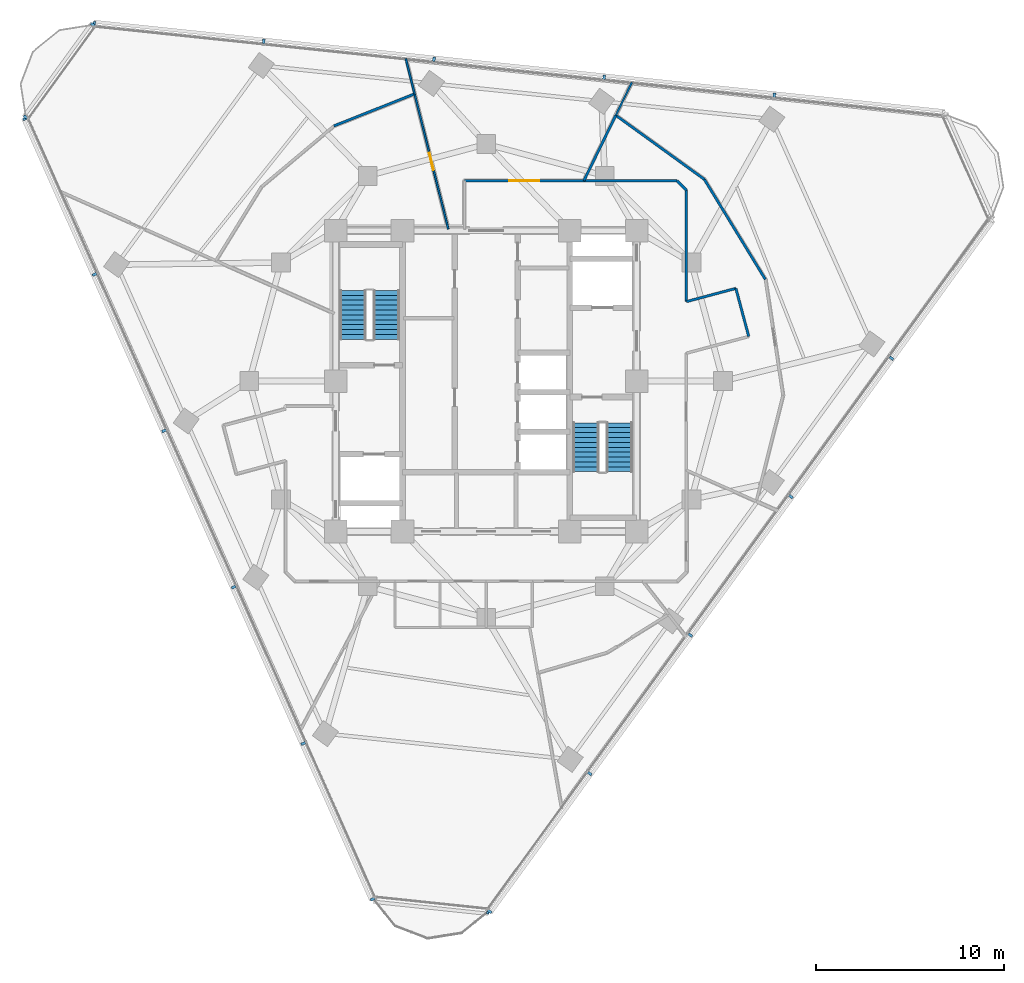
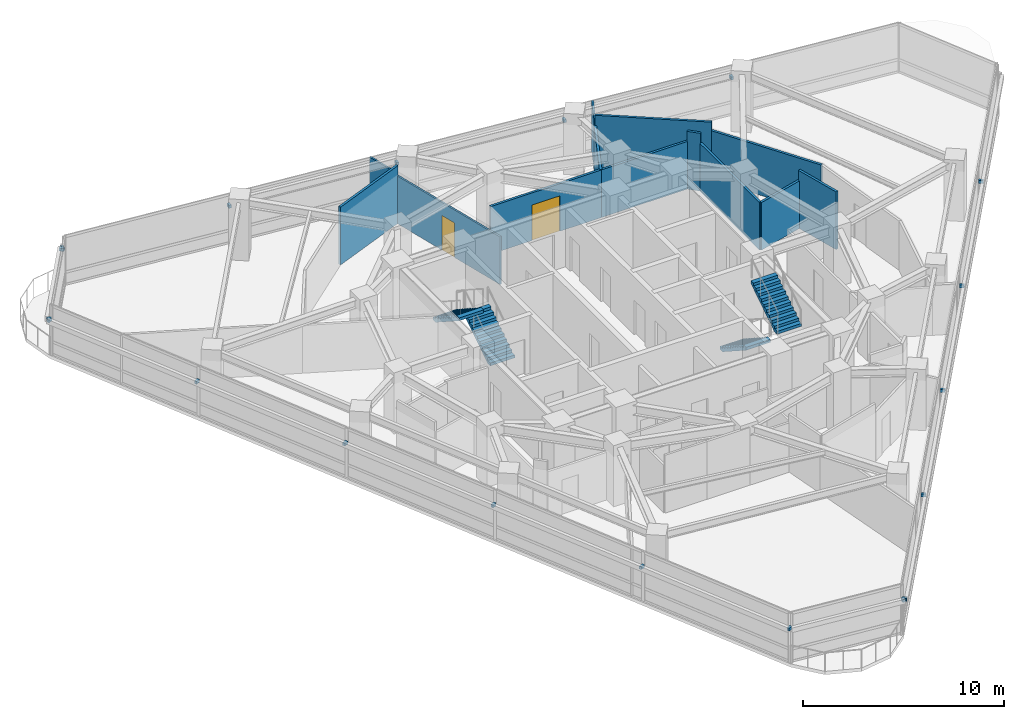
# One storey, part 10 of 15: 19 discrete accessories, 13 walls, 4 stair flights, 2 doors, 2 openings, 2 elements without a shape of their own.
"""IFC4 building model written with IfcOpenShell, lengths in metres."""

from ifc_helpers import new_model, si_unit, direction, frame, frame_2d, origin, origin_2d, place, context, subcontext, project, spatial, polyline, rectangle, outline, extrude, material, layer, layer_set, type_object, element, fill, aggregate, save


model = new_model("IFC4")

# Units and contexts
model_context = context("Model", 3, precision=1e-05, world=origin(), true_north=direction((0.0, 1.0)))
body_context = subcontext(model_context, "Body", "Model", "MODEL_VIEW")
ifc_project = project(units=[si_unit("LENGTHUNIT", "METRE"), si_unit("AREAUNIT", "SQUARE_METRE"), si_unit("VOLUMEUNIT", "CUBIC_METRE"), si_unit("PLANEANGLEUNIT", "RADIAN"), si_unit("MASSUNIT", "GRAM", prefix="KILO")], contexts=[model_context])

# Site, building, storey
site_placement = place(None, origin())
site = spatial("IfcSite", under=ifc_project, at=site_placement, CompositionType="ELEMENT")
building_placement = place(site_placement, origin())
building = spatial("IfcBuilding", under=site, at=building_placement, Name="Terralouvre Media Tower", CompositionType="ELEMENT")
storey_placement = place(building_placement, frame((0.0, 0.0, 237.39990234375)))
storey = spatial("IfcBuildingStorey", under=building, at=storey_placement, Name="L61", CompositionType="ELEMENT", Elevation=237.39990234375)

# Wall
ifc_material_1 = material(Name="Low-iron laminated double glazing with solar-control coating", Category="glass")
ifc_layer_1 = layer(ifc_material_1, 0.10009765625, Name="Demountable Glazed Office Partition PT-GL100")
ifc_layer_set_1 = layer_set([ifc_layer_1], Name="Low-iron laminated double glazing with solar-control coating")
wall_type_1 = type_object("IfcWallType", Name="Demountable Glazed Office Partition PT-GL100", PredefinedType="MOVABLE", material=ifc_layer_set_1)
wall_1_placement = place(storey_placement, frame((7.74658203125, 15.882080078125, 0.0), z_axis=(0.0, 0.0, 1.0), x_axis=(-0.438571753549, -0.898696176129, 0.0)))
element("IfcWall", 1, at=wall_1_placement, inside=storey, type_object=wall_type_1, Name="L61 Interior Partition 048", PredefinedType="MOVABLE", context=body_context, shape_type="SweptSolid", body=[
    extrude(rectangle(XDim=1.9482421875, YDim=0.10009765625, at=frame_2d((0.97412109375, 0.0))), origin(), (0.0, 0.0, 1.0), 3.03515625),
])

# Wall, opening, door
wall_2_placement = place(storey_placement, frame((-3.80810546875, 15.27099609375, 0.0), z_axis=(0.0, 0.0, 1.0), x_axis=(0.241993010569, -0.970277992555, 0.0)))
wall_2 = element("IfcWall", 2, at=wall_2_placement, inside=storey, type_object=wall_type_1, Name="L61 Interior Partition 049", PredefinedType="MOVABLE", context=body_context, shape_type="SweptSolid", body=[
    extrude(rectangle(XDim=7.4111328125, YDim=0.10009765625, at=frame_2d((3.70556640625, 0.0))), origin(), (0.0, 0.0, 1.0), 2.885009765625),
])
opening_1_placement = place(wall_2_placement, frame((3.24560546875, 0.0, 0.0)))
opening_1 = element("IfcOpeningElement", 3, at=opening_1_placement, cuts=wall_2, Name="Opening ID-03-92X210", PredefinedType="OPENING", context=body_context, shape_type="SweptSolid", body=[
    extrude(rectangle(XDim=0.919921875, YDim=2.10009765625, at=frame_2d((0.4599609375, 1.050048828125))), frame((0.0, 0.06005859375, 0.0), z_axis=(0.0, -1.0, 0.0), x_axis=(1.0, 0.0, 0.0)), (0.0, 0.0, 1.0), 0.1201171875),
])
ifc_material_2 = material(Name="Engineered hardwood acoustic timber leaf", Category="wood")
door_type_1 = type_object("IfcDoorType", Name="Accessible Restroom and Suite Door ID-03 (920x2100)", OperationType="NOTDEFINED", PredefinedType="DOOR", material=ifc_material_2)
door_1_placement = place(opening_1_placement, origin())
door_1 = element("IfcDoor", 4, at=door_1_placement, inside=storey, type_object=door_type_1, Name="L61 Fact-Check Reference Library 9 Door", OperationType="SINGLE_SWING_LEFT", OverallHeight=2.10009765625, OverallWidth=0.919921875, PredefinedType="DOOR", context=body_context, shape_type="SweptSolid", body=[
    extrude(rectangle(XDim=0.919921875, YDim=2.10009765625, at=frame_2d((0.4599609375, 1.050048828125))), frame((0.0, 0.02490234375, 0.0), z_axis=(0.0, -1.0, 0.0), x_axis=(1.0, 0.0, 0.0)), (0.0, 0.0, 1.0), 0.050048828125),
])
fill(opening_1, door_1)

# Walls
wall_3_placement = place(storey_placement, frame((-4.275390625, 17.1455078125, 0.0), z_axis=(0.0, 0.0, 1.0), x_axis=(0.241881394388, -0.970305823464, 0.0)))
element("IfcWall", 5, at=wall_3_placement, inside=storey, type_object=wall_type_1, Name="L61 Interior Partition 050", PredefinedType="MOVABLE", context=body_context, shape_type="SweptSolid", body=[
    extrude(rectangle(XDim=1.931884765625, YDim=0.10009765625, at=frame_2d((0.9658203125, 0.0))), origin(), (0.0, 0.0, 1.0), 3.03515625),
])
ifc_material_3 = material(Name="Fire-rated gypsum board drywall partition")
ifc_layer_2 = layer(ifc_material_3, 0.135009765625, Name="Newsroom Acoustic Partition PT-135")
ifc_layer_set_2 = layer_set([ifc_layer_2], Name="Fire-rated gypsum board drywall partition")
wall_type_2 = type_object("IfcWallType", Name="Newsroom Acoustic Partition PT-135", PredefinedType="PARTITIONING", material=ifc_layer_set_2)
wall_4_placement = place(storey_placement, frame((13.9619140625, 2.368896484375, 0.0), z_axis=(0.0, 0.0, 1.0), x_axis=(-0.258413725385, 0.966034340245, 0.0)))
element("IfcWall", 6, at=wall_4_placement, inside=storey, type_object=wall_type_2, Name="L61 Interior Partition 010", PredefinedType="PARTITIONING", context=body_context, shape_type="SweptSolid", body=[
    extrude(rectangle(XDim=2.650146484375, YDim=0.135009765625, at=frame_2d((1.3251953125, 0.0))), origin(), (0.0, 0.0, 1.0), 3.5),
])
wall_5_placement = place(storey_placement, frame((13.277099609375, 4.928955078125, 0.0), z_axis=(0.0, 0.0, 1.0), x_axis=(-0.965934830229, -0.258785439601, 0.0)))
element("IfcWall", 7, at=wall_5_placement, inside=storey, type_object=wall_type_2, Name="L61 Interior Partition 011", PredefinedType="PARTITIONING", context=body_context, shape_type="SweptSolid", body=[
    extrude(rectangle(XDim=2.719970703125, YDim=0.135009765625, at=frame_2d((1.35986328125, 0.0))), origin(), (0.0, 0.0, 1.0), 2.885009765625),
])
wall_6_placement = place(storey_placement, frame((10.64990234375, 4.22509765625, 0.0), z_axis=(0.0, 0.0, 1.0), x_axis=(0.0, 1.0, 0.0)))
element("IfcWall", 8, at=wall_6_placement, inside=storey, type_object=wall_type_2, Name="L61 Interior Partition 012", PredefinedType="PARTITIONING", context=body_context, shape_type="SweptSolid", body=[
    extrude(rectangle(XDim=5.9248046875, YDim=0.135009765625, at=frame_2d((2.96240234375, 0.0))), origin(), (0.0, 0.0, 1.0), 2.885009765625),
])
wall_7_placement = place(storey_placement, frame((10.64990234375, 10.14990234375, 0.0), z_axis=(0.0, 0.0, 1.0), x_axis=(-0.707106781187, 0.707106781187, 0.0)))
element("IfcWall", 9, at=wall_7_placement, inside=storey, type_object=wall_type_2, Name="L61 Interior Partition 013", PredefinedType="PARTITIONING", context=body_context, shape_type="SweptSolid", body=[
    extrude(rectangle(XDim=0.70703125, YDim=0.135009765625, at=frame_2d((0.353515625, 0.0))), origin(), (0.0, 0.0, 1.0), 3.5),
])
wall_8_placement = place(storey_placement, frame((10.14990234375, 10.64990234375, 0.0), z_axis=(0.0, 0.0, 1.0), x_axis=(-1.0, 0.0, 0.0)))
element("IfcWall", 10, at=wall_8_placement, inside=storey, type_object=wall_type_2, Name="L61 Interior Partition 014", PredefinedType="PARTITIONING", context=body_context, shape_type="SweptSolid", body=[
    extrude(rectangle(XDim=4.955810546875, YDim=0.135009765625, at=frame_2d((2.47802734375, 0.0))), origin(), (0.0, 0.0, 1.0), 2.885009765625),
])

# Wall, opening, door
wall_9_placement = place(storey_placement, frame((5.194091796875, 10.64990234375, 0.0), z_axis=(0.0, 0.0, 1.0), x_axis=(-1.0, 0.0, 0.0)))
wall_9 = element("IfcWall", 11, at=wall_9_placement, inside=storey, type_object=wall_type_2, Name="L61 Interior Partition 023", PredefinedType="PARTITIONING", context=body_context, shape_type="SweptSolid", body=[
    extrude(rectangle(XDim=6.343994140625, YDim=0.135009765625, at=frame_2d((3.171875, 0.0))), origin(), (0.0, 0.0, 1.0), 2.885009765625),
])
opening_2_placement = place(wall_9_placement, frame((2.3720703125, 0.0, 0.0)))
opening_2 = element("IfcOpeningElement", 12, at=opening_2_placement, cuts=wall_9, Name="Opening ID-04-160X215", PredefinedType="OPENING", context=body_context, shape_type="SweptSolid", body=[
    extrude(rectangle(XDim=1.60009765625, YDim=2.14990234375, at=frame_2d((0.800048828125, 1.074951171875))), frame((0.0, 0.077392578125, 0.0), z_axis=(0.0, -1.0, 0.0), x_axis=(1.0, 0.0, 0.0)), (0.0, 0.0, 1.0), 0.155029296875),
])
ifc_material_4 = material(Name="Engineered hardwood acoustic timber leaf", Category="wood")
door_type_2 = type_object("IfcDoorType", Name="Conference Double Acoustic Door ID-04 (1600x2150)", OperationType="DOUBLE_DOOR_SINGLE_SWING", PredefinedType="DOOR", material=ifc_material_4)
door_2_placement = place(opening_2_placement, origin())
door_2 = element("IfcDoor", 13, at=door_2_placement, inside=storey, type_object=door_type_2, Name="L61 Legal Vetting Conference Room 8 Door", OperationType="DOUBLE_DOOR_SINGLE_SWING", OverallHeight=2.14990234375, OverallWidth=1.60009765625, PredefinedType="DOOR", context=body_context, shape_type="SweptSolid", body=[
    extrude(rectangle(XDim=1.60009765625, YDim=2.14990234375, at=frame_2d((0.800048828125, 1.074951171875))), frame((0.0, 0.02490234375, 0.0), z_axis=(0.0, -1.0, 0.0), x_axis=(1.0, 0.0, 0.0)), (0.0, 0.0, 1.0), 0.050048828125),
])
fill(opening_2, door_2)

# Walls
wall_10_placement = place(storey_placement, frame((14.846923828125, 5.404052734375, 0.0), z_axis=(0.0, 0.0, 1.0), x_axis=(-0.520646426704, 0.853772392597, 0.0)))
element("IfcWall", 14, at=wall_10_placement, inside=storey, type_object=wall_type_2, Name="L61 Interior Partition 031", PredefinedType="PARTITIONING", context=body_context, shape_type="SweptSolid", body=[
    extrude(rectangle(XDim=6.232421875, YDim=0.135009765625, at=frame_2d((3.1162109375, 0.0))), origin(), (0.0, 0.0, 1.0), 2.985107421875),
])
wall_11_placement = place(storey_placement, frame((11.60205078125, 10.72509765625, 0.0), z_axis=(0.0, 0.0, 1.0), x_axis=(-0.810322435649, 0.58598425771, 0.0)))
element("IfcWall", 15, at=wall_11_placement, inside=storey, type_object=wall_type_2, Name="L61 Interior Partition 032", PredefinedType="PARTITIONING", context=body_context, shape_type="SweptSolid", body=[
    extrude(rectangle(XDim=5.8125, YDim=0.135009765625, at=frame_2d((2.90625, 0.0))), origin(), (0.0, 0.0, 1.0), 3.5),
])
wall_12_placement = place(storey_placement, frame((6.89208984375, 14.131103515625, 0.0), z_axis=(0.0, 0.0, 1.0), x_axis=(-0.438392584888, -0.898783589923, 0.0)))
element("IfcWall", 16, at=wall_12_placement, inside=storey, type_object=wall_type_2, Name="L61 Interior Partition 033", PredefinedType="PARTITIONING", context=body_context, shape_type="SweptSolid", body=[
    extrude(rectangle(XDim=3.873291015625, YDim=0.135009765625, at=frame_2d((1.9365234375, 0.0))), origin(), (0.0, 0.0, 1.0), 2.885009765625),
])
wall_13_placement = place(storey_placement, frame((-3.80810546875, 15.27099609375, 0.0), z_axis=(0.0, 0.0, 1.0), x_axis=(-0.929356809345, -0.369182774414, 0.0)))
element("IfcWall", 17, at=wall_13_placement, inside=storey, type_object=wall_type_2, Name="L61 Interior Partition 051", PredefinedType="PARTITIONING", context=body_context, shape_type="SweptSolid", body=[
    extrude(rectangle(XDim=4.615966796875, YDim=0.135009765625, at=frame_2d((2.30810546875, 0.0))), origin(), (0.0, 0.0, 1.0), 3.5),
])

# Stair, stair flights
ifc_material_5 = material(Name="Concrete C45/55", Category="concrete")
stair_type_1 = type_object("IfcStairType", Name="Dogleg Stair Assembly ST-01", PredefinedType="HALF_TURN_STAIR", material=ifc_material_5)
stair_1_placement = place(storey_placement, origin())
stair_1 = element("IfcStair", 18, at=stair_1_placement, inside=storey, type_object=stair_type_1, Name="L61 Core Pressurised Exit Stair ST-01", PredefinedType="HALF_TURN_STAIR")
ifc_material_6 = material(Name="Concrete C45/55", Category="concrete")
stair_flight_type = type_object("IfcStairFlightType", Name="Reinforced Concrete Stair Flight SF-RC1", PredefinedType="STRAIGHT", material=ifc_material_6)
stair_flight_1_placement = place(storey_placement, frame((-5.300048828125, 2.219970703125, 0.0), z_axis=(0.0, 0.0, 1.0), x_axis=(0.0, 1.0, 0.0)))
stair_flight_1 = element("IfcStairFlight", 19, at=stair_flight_1_placement, type_object=stair_flight_type, Name="ST-01 flight 1", NumberOfRisers=11, NumberOfTreads=10, PredefinedType="STRAIGHT", RiserHeight=0.168181818, TreadLength=0.26, context=body_context, shape_type="SweptSolid", body=[
    extrude(outline(polyline([(0.0, 0.0), (0.0, 0.168212890625), (0.260009765625, 0.168212890625), (0.260009765625, 0.33642578125), (0.52001953125, 0.33642578125), (0.52001953125, 0.504638671875), (0.780029296875, 0.504638671875), (0.780029296875, 0.672607421875), (1.0400390625, 0.672607421875), (1.0400390625, 0.8408203125), (1.300048828125, 0.8408203125), (1.300048828125, 1.009033203125), (1.56005859375, 1.009033203125), (1.56005859375, 1.17724609375), (1.820068359375, 1.17724609375), (1.820068359375, 1.345458984375), (2.080078125, 1.345458984375), (2.080078125, 1.513671875), (2.340087890625, 1.513671875), (2.340087890625, 1.681884765625), (2.60009765625, 1.681884765625), (2.60009765625, 1.85009765625), (2.60009765625, 1.503173828125), (0.27587890625, 0.0), (0.0, 0.0)])), frame((0.0, 0.699951171875, 0.0), z_axis=(0.0, -1.0, 0.0), x_axis=(1.0, 0.0, 0.0)), (0.0, 0.0, 1.0), 1.39990234375),
])
stair_flight_2_placement = place(storey_placement, frame((-7.080078125, 4.820068359375, 1.85009765625), z_axis=(0.0, 0.0, 1.0), x_axis=(0.0, -1.0, 0.0)))
stair_flight_2 = element("IfcStairFlight", 20, at=stair_flight_2_placement, type_object=stair_flight_type, Name="ST-01 flight 2", NumberOfRisers=11, NumberOfTreads=10, PredefinedType="STRAIGHT", RiserHeight=0.168181818, TreadLength=0.26, context=body_context, shape_type="SweptSolid", body=[
    extrude(outline(polyline([(0.0, 0.0), (0.0, 0.168212890625), (0.260009765625, 0.168212890625), (0.260009765625, 0.33642578125), (0.52001953125, 0.33642578125), (0.52001953125, 0.504638671875), (0.780029296875, 0.504638671875), (0.780029296875, 0.672607421875), (1.0400390625, 0.672607421875), (1.0400390625, 0.8408203125), (1.300048828125, 0.8408203125), (1.300048828125, 1.009033203125), (1.56005859375, 1.009033203125), (1.56005859375, 1.17724609375), (1.820068359375, 1.17724609375), (1.820068359375, 1.345458984375), (2.080078125, 1.345458984375), (2.080078125, 1.513671875), (2.340087890625, 1.513671875), (2.340087890625, 1.681884765625), (2.60009765625, 1.681884765625), (2.60009765625, 1.85009765625), (2.60009765625, 1.503173828125), (0.27587890625, 0.0), (0.0, 0.0)])), frame((0.0, 0.699951171875, 0.0), z_axis=(0.0, -1.0, 0.0), x_axis=(1.0, 0.0, 0.0)), (0.0, 0.0, 1.0), 1.39990234375),
])
aggregate(stair_1, [stair_flight_1, stair_flight_2])

ifc_material_7 = material(Name="Concrete C45/55", Category="concrete")
stair_type_2 = type_object("IfcStairType", Name="Dogleg Stair Assembly ST-02", PredefinedType="HALF_TURN_STAIR", material=ifc_material_7)
stair_2_placement = place(storey_placement, origin())
stair_2 = element("IfcStair", 21, at=stair_2_placement, inside=storey, type_object=stair_type_2, Name="L61 Core Pressurised Exit Stair ST-02", PredefinedType="HALF_TURN_STAIR")
stair_flight_3_placement = place(storey_placement, frame((5.300048828125, -2.219970703125, 0.0), z_axis=(0.0, 0.0, 1.0), x_axis=(0.0, -1.0, 0.0)))
stair_flight_3 = element("IfcStairFlight", 22, at=stair_flight_3_placement, type_object=stair_flight_type, Name="ST-02 flight 1", NumberOfRisers=11, NumberOfTreads=10, PredefinedType="STRAIGHT", RiserHeight=0.168181818, TreadLength=0.26, context=body_context, shape_type="SweptSolid", body=[
    extrude(outline(polyline([(0.0, 0.0), (0.0, 0.168212890625), (0.260009765625, 0.168212890625), (0.260009765625, 0.33642578125), (0.52001953125, 0.33642578125), (0.52001953125, 0.504638671875), (0.780029296875, 0.504638671875), (0.780029296875, 0.672607421875), (1.0400390625, 0.672607421875), (1.0400390625, 0.8408203125), (1.300048828125, 0.8408203125), (1.300048828125, 1.009033203125), (1.56005859375, 1.009033203125), (1.56005859375, 1.17724609375), (1.820068359375, 1.17724609375), (1.820068359375, 1.345458984375), (2.080078125, 1.345458984375), (2.080078125, 1.513671875), (2.340087890625, 1.513671875), (2.340087890625, 1.681884765625), (2.60009765625, 1.681884765625), (2.60009765625, 1.85009765625), (2.60009765625, 1.503173828125), (0.27587890625, 0.0), (0.0, 0.0)])), frame((0.0, 0.699951171875, 0.0), z_axis=(0.0, -1.0, 0.0), x_axis=(1.0, 0.0, 0.0)), (0.0, 0.0, 1.0), 1.39990234375),
])
stair_flight_4_placement = place(storey_placement, frame((7.080078125, -4.820068359375, 1.85009765625), z_axis=(0.0, 0.0, 1.0), x_axis=(0.0, 1.0, 0.0)))
stair_flight_4 = element("IfcStairFlight", 23, at=stair_flight_4_placement, type_object=stair_flight_type, Name="ST-02 flight 2", NumberOfRisers=11, NumberOfTreads=10, PredefinedType="STRAIGHT", RiserHeight=0.168181818, TreadLength=0.26, context=body_context, shape_type="SweptSolid", body=[
    extrude(outline(polyline([(0.0, 0.0), (0.0, 0.168212890625), (0.260009765625, 0.168212890625), (0.260009765625, 0.33642578125), (0.52001953125, 0.33642578125), (0.52001953125, 0.504638671875), (0.780029296875, 0.504638671875), (0.780029296875, 0.672607421875), (1.0400390625, 0.672607421875), (1.0400390625, 0.8408203125), (1.300048828125, 0.8408203125), (1.300048828125, 1.009033203125), (1.56005859375, 1.009033203125), (1.56005859375, 1.17724609375), (1.820068359375, 1.17724609375), (1.820068359375, 1.345458984375), (2.080078125, 1.345458984375), (2.080078125, 1.513671875), (2.340087890625, 1.513671875), (2.340087890625, 1.681884765625), (2.60009765625, 1.681884765625), (2.60009765625, 1.85009765625), (2.60009765625, 1.503173828125), (0.27587890625, 0.0), (0.0, 0.0)])), frame((0.0, 0.699951171875, 0.0), z_axis=(0.0, -1.0, 0.0), x_axis=(1.0, 0.0, 0.0)), (0.0, 0.0, 1.0), 1.39990234375),
])
aggregate(stair_2, [stair_flight_3, stair_flight_4])

# Discrete accessories
ifc_material_8 = material(Name="Anodised extruded aluminium 6063-T6", Category="aluminium")
discrete_accessory_type = type_object("IfcDiscreteAccessoryType", Name="Mullion Stand-Off Baguette Fixing Bracket BK-01", PredefinedType="BRACKET", material=ifc_material_8)
for number, where, z_axis, x_axis, name in (
    (24, (0.180419921875, -28.205322265625, 2.07421875), (0.0, 0.0, 1.0), (0.587785300879, 0.809016959074, 0.0), "CW-L61-F0 Baguette Outrigger Bracket 1.01"),
    (25, (5.50732421875, -20.87353515625, 2.07421875), (0.0, 0.0, 1.0), (0.587785300879, 0.809016959074, 0.0), "CW-L61-F0 Baguette Outrigger Bracket 1.02"),
    (26, (10.856201171875, -13.511474609375, 2.07421875), (0.0, 0.0, 1.0), (0.587785300879, 0.809016959074, 0.0), "CW-L61-F0 Baguette Outrigger Bracket 1.03"),
    (27, (16.205078125, -6.1494140625, 2.07421875), (0.0, 0.0, 1.0), (0.587785300879, 0.809016959074, 0.0), "CW-L61-F0 Baguette Outrigger Bracket 1.04"),
    (28, (21.553955078125, 1.212646484375, 2.07421875), (0.0, 0.0, 1.0), (0.587785300879, 0.809016959074, 0.0), "CW-L61-F0 Baguette Outrigger Bracket 1.05"),
    (29, (15.323486328125, 15.206298828125, 2.07421875), (0.0, 0.0, 1.0), (-0.994521885028, 0.104528561651, 0.0), "CW-L61-F1 Baguette Outrigger Bracket 1.02"),
    (30, (6.273193359375, 16.157470703125, 2.07421875), (0.0, 0.0, 1.0), (-0.994521885028, 0.104528561651, 0.0), "CW-L61-F1 Baguette Outrigger Bracket 1.03"),
    (31, (-2.77685546875, 17.108642578125, 2.07421875), (0.0, 0.0, 1.0), (-0.994521885028, 0.104528561651, 0.0), "CW-L61-F1 Baguette Outrigger Bracket 1.04"),
    (32, (-11.826904296875, 18.059814453125, 2.07421875), (0.0, 0.0, 1.0), (-0.994521885028, 0.104528561651, 0.0), "CW-L61-F1 Baguette Outrigger Bracket 1.05"),
    (33, (-20.83984375, 19.007080078125, 2.07421875), (0.0, 0.0, 1.0), (-0.994521885028, 0.104528561651, 0.0), "CW-L61-F1 Baguette Outrigger Bracket 1.06"),
    (34, (-24.516845703125, 13.9462890625, 2.07421875), (0.0, 0.0, 1.0), (0.406736679636, -0.913545441365, 0.0), "CW-L61-F2 Baguette Outrigger Bracket 1.01"),
    (35, (-20.830810546875, 5.667236328125, 2.07421875), (0.0, 0.0, 1.0), (0.406736679636, -0.913545441365, 0.0), "CW-L61-F2 Baguette Outrigger Bracket 1.02"),
    (36, (-17.12939453125, -2.64599609375, 2.07421875), (0.0, 0.0, 1.0), (0.406736679636, -0.913545441365, 0.0), "CW-L61-F2 Baguette Outrigger Bracket 1.03"),
    (37, (-13.42822265625, -10.959228515625, 2.07421875), (0.0, 0.0, 1.0), (0.406736679636, -0.913545441365, 0.0), "CW-L61-F2 Baguette Outrigger Bracket 1.04"),
    (38, (-9.726806640625, -19.2724609375, 2.07421875), (0.0, 0.0, 1.0), (0.406736679636, -0.913545441365, 0.0), "CW-L61-F2 Baguette Outrigger Bracket 1.05"),
    (39, (-6.040771484375, -27.551513671875, 2.07421875), (0.0, 0.0, 1.0), (0.406736679636, -0.913545441365, 0.0), "CW-L61-F2 Baguette Outrigger Bracket 1.06"),
    (40, (0.086669921875, -28.22802734375, 2.07421875), (0.0, 0.0, 1.0), (0.994521944551, -0.104527995322, 0.0), "CW-L61-C0 Baguette Outrigger Bracket 1.02"),
    (41, (-20.919677734375, 18.952880859375, 2.07421875), (0.0, 0.0, 1.0), (-0.58778588998, -0.809016531067, 0.0), "CW-L61-C2 Baguette Outrigger Bracket 1.01"),
    (42, (-24.48974609375, 14.0390625, 2.07421875), (0.0, 0.0, 1.0), (-0.58778588998, -0.809016531067, 0.0), "CW-L61-C2 Baguette Outrigger Bracket 1.02"),
):
    element("IfcDiscreteAccessory", number, at=place(storey_placement, frame(where, z_axis=z_axis, x_axis=x_axis)), inside=storey, type_object=discrete_accessory_type, Name=name, PredefinedType="BRACKET", context=body_context, shape_type="SweptSolid", body=[
        extrude(rectangle(XDim=0.139892578125, YDim=0.239990234375, at=origin_2d()), origin(), (0.0, 0.0, 1.0), 0.179931640625),
    ])

save(model, "model.ifc")
